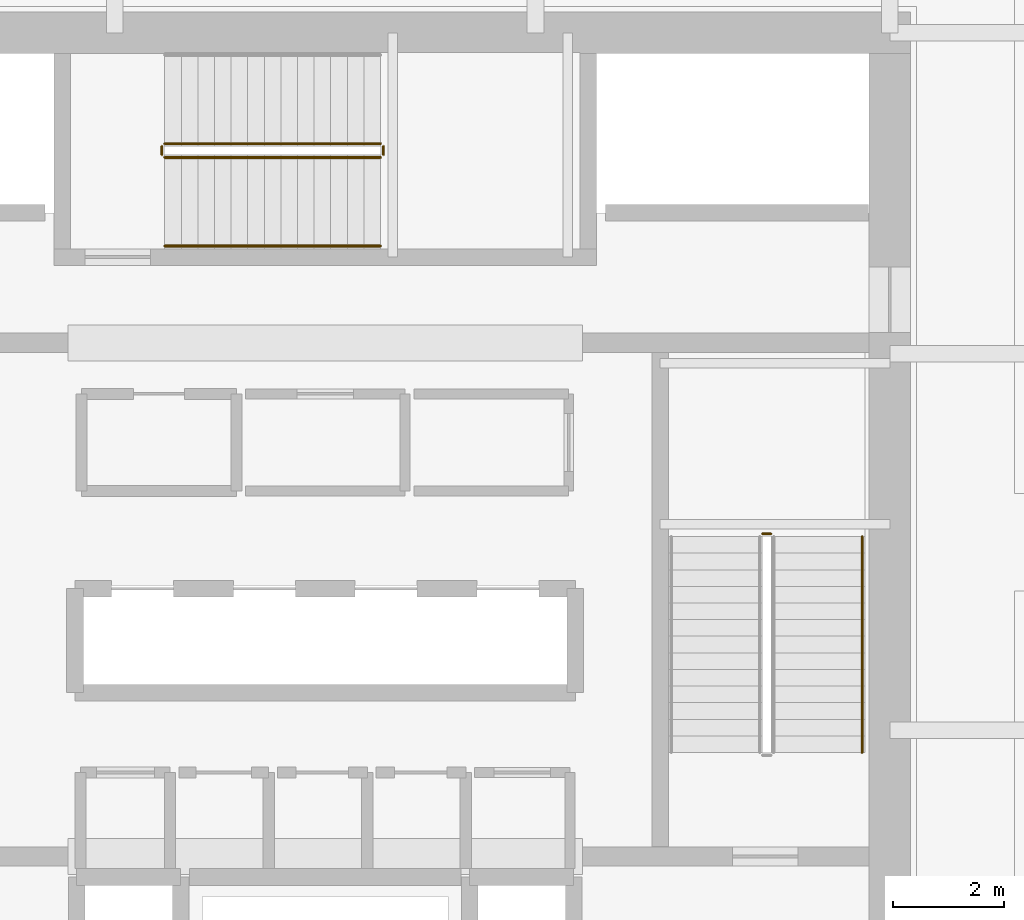
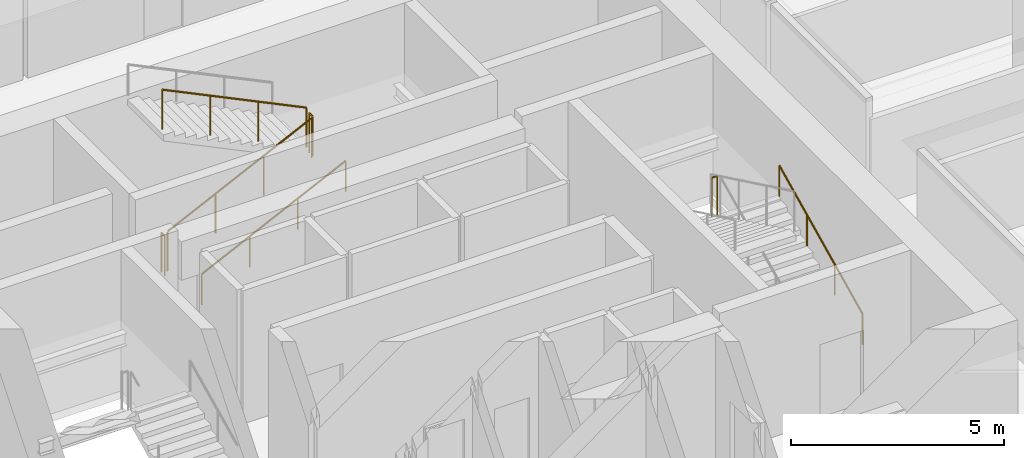
# One storey, part 33 of 34: 7 railings.
"""IFC4 building model written with IfcOpenShell, lengths in metres."""

from ifc_helpers import new_model, si_unit, direction, frame, origin, origin_2d, place, context, subcontext, project, spatial, circle, extrude, material, type_object, element, save


model = new_model("IFC4")

# Units and contexts
model_context = context("Model", 3, precision=1e-05, world=origin(), true_north=direction((0.0, 1.0)))
body_context = subcontext(model_context, "Body", "Model", "MODEL_VIEW")
ifc_project = project(units=[si_unit("LENGTHUNIT", "METRE"), si_unit("AREAUNIT", "SQUARE_METRE"), si_unit("VOLUMEUNIT", "CUBIC_METRE"), si_unit("PLANEANGLEUNIT", "RADIAN"), si_unit("MASSUNIT", "GRAM", prefix="KILO")], contexts=[model_context])

# Site, building, storey
site_placement = place(None, origin())
site = spatial("IfcSite", under=ifc_project, at=site_placement, CompositionType="ELEMENT")
building_placement = place(site_placement, origin())
building = spatial("IfcBuilding", under=site, at=building_placement, Name="Punatoya Terracotta Tower", CompositionType="ELEMENT")
storey_placement = place(building_placement, frame((0.0, 0.0, 80.85009765625)))
storey = spatial("IfcBuildingStorey", under=building, at=storey_placement, Name="L18", CompositionType="ELEMENT", Elevation=80.85009765625)

# Railings
ifc_material = material(Name="Steel S355", Category="steel")
railing_type_1 = type_object("IfcRailingType", Name="RLG-GRD-1150", PredefinedType="GUARDRAIL", material=ifc_material)
railing_1_placement = place(storey_placement, frame((8.050048828125, 0.14990234375, 2.02490234375)))
element("IfcRailing", 1, at=railing_1_placement, inside=storey, type_object=railing_type_1, Name="L18 ST-2 stair guard 2", PredefinedType="GUARDRAIL", context=body_context, shape_type="SweptSolid", body=[
    extrude(circle(Radius=0.02392578125, at=origin_2d()), frame((0.0, 0.0, 1.1259765625), z_axis=(-1.0, 0.0, 0.0), x_axis=(0.0, -1.0, 0.0)), (0.0, 0.0, 1.0), 0.150146484375),
    extrude(circle(Radius=0.02099609375, at=origin_2d()), origin(), (0.0, 0.0, 1.0), 1.101806640625),
    extrude(circle(Radius=0.02099609375, at=origin_2d()), frame((-0.150146484375, 0.0, 0.0)), (0.0, 0.0, 1.0), 1.101806640625),
])
railing_2_placement = place(storey_placement, frame((-2.89990234375, 6.949951171875, 0.14453125)))
element("IfcRailing", 2, at=railing_2_placement, inside=storey, type_object=railing_type_1, Name="L18 ST-3 stair guard 1", PredefinedType="GUARDRAIL", context=body_context, shape_type="SweptSolid", body=[
    extrude(circle(Radius=0.02392578125, at=origin_2d()), frame((0.0, 0.0, 1.1259765625), z_axis=(0.900763166376, 0.0, 0.434310623978), x_axis=(0.0, 1.0, 0.0)), (0.0, 0.0, 1.0), 4.32958984375),
    extrude(circle(Radius=0.02099609375, at=origin_2d()), origin(), (0.0, 0.0, 1.0), 1.101806640625),
    extrude(circle(Radius=0.02099609375, at=origin_2d()), frame((1.300048828125, 0.0, 0.626708984375)), (0.0, 0.0, 1.0), 1.101806640625),
    extrude(circle(Radius=0.02099609375, at=origin_2d()), frame((2.599853515625, 0.0, 1.253662109375)), (0.0, 0.0, 1.0), 1.101806640625),
    extrude(circle(Radius=0.02099609375, at=origin_2d()), frame((3.89990234375, 0.0, 1.88037109375)), (0.0, 0.0, 1.0), 1.101806640625),
])
railing_3_placement = place(storey_placement, frame((1.050048828125, 7.0, 2.02490234375)))
element("IfcRailing", 3, at=railing_3_placement, inside=storey, type_object=railing_type_1, Name="L18 ST-3 stair guard 2", PredefinedType="GUARDRAIL", context=body_context, shape_type="SweptSolid", body=[
    extrude(circle(Radius=0.02392578125, at=origin_2d()), frame((0.0, 0.0, 1.1259765625), z_axis=(0.0, 1.0, 0.0), x_axis=(-1.0, 0.0, 0.0)), (0.0, 0.0, 1.0), 0.14990234375),
    extrude(circle(Radius=0.02099609375, at=origin_2d()), origin(), (0.0, 0.0, 1.0), 1.101806640625),
    extrude(circle(Radius=0.02099609375, at=origin_2d()), frame((0.0, 0.14990234375, 0.0)), (0.0, 0.0, 1.0), 1.101806640625),
])
railing_4_placement = place(storey_placement, frame((1.0, 7.199951171875, 2.16943359375)))
element("IfcRailing", 4, at=railing_4_placement, inside=storey, type_object=railing_type_1, Name="L18 ST-3 stair guard 3", PredefinedType="GUARDRAIL", context=body_context, shape_type="SweptSolid", body=[
    extrude(circle(Radius=0.02392578125, at=origin_2d()), frame((0.0, 0.0, 1.1259765625), z_axis=(-0.900763166376, 0.0, 0.434310623978), x_axis=(0.0, -1.0, 0.0)), (0.0, 0.0, 1.0), 4.32958984375),
    extrude(circle(Radius=0.02099609375, at=origin_2d()), origin(), (0.0, 0.0, 1.0), 1.101806640625),
    extrude(circle(Radius=0.02099609375, at=origin_2d()), frame((-1.300048828125, 0.0, 0.626708984375)), (0.0, 0.0, 1.0), 1.101806640625),
    extrude(circle(Radius=0.02099609375, at=origin_2d()), frame((-2.599853515625, 0.0, 1.253662109375)), (0.0, 0.0, 1.0), 1.101806640625),
    extrude(circle(Radius=0.02099609375, at=origin_2d()), frame((-3.89990234375, 0.0, 1.88037109375)), (0.0, 0.0, 1.0), 1.101806640625),
])
railing_5_placement = place(storey_placement, frame((-2.949951171875, 7.0, 0.0)))
element("IfcRailing", 5, at=railing_5_placement, inside=storey, type_object=railing_type_1, Name="L18 ST-3 stair guard 4", PredefinedType="GUARDRAIL", context=body_context, shape_type="SweptSolid", body=[
    extrude(circle(Radius=0.02392578125, at=origin_2d()), frame((0.0, 0.0, 1.1259765625), z_axis=(0.0, 1.0, 0.0), x_axis=(-1.0, 0.0, 0.0)), (0.0, 0.0, 1.0), 0.14990234375),
    extrude(circle(Radius=0.02099609375, at=origin_2d()), origin(), (0.0, 0.0, 1.0), 1.101806640625),
    extrude(circle(Radius=0.02099609375, at=origin_2d()), frame((0.0, 0.14990234375, 0.0)), (0.0, 0.0, 1.0), 1.101806640625),
])
railing_type_2 = type_object("IfcRailingType", Name="RLG-HND-900", PredefinedType="HANDRAIL", material=ifc_material)
railing_6_placement = place(storey_placement, frame((9.699951171875, -3.800048828125, 0.14453125)))
element("IfcRailing", 6, at=railing_6_placement, inside=storey, type_object=railing_type_2, Name="L18 ST-2 stair handrail 1", PredefinedType="HANDRAIL", context=body_context, shape_type="SweptSolid", body=[
    extrude(circle(Radius=0.02392578125, at=origin_2d()), frame((0.0, 0.0, 0.8759765625), z_axis=(0.0, 0.900773802044, 0.434288564841), x_axis=(-1.0, 0.0, 0.0)), (0.0, 0.0, 1.0), 4.329833984375),
    extrude(circle(Radius=0.02099609375, at=origin_2d()), origin(), (0.0, 0.0, 1.0), 0.851806640625),
    extrude(circle(Radius=0.02099609375, at=origin_2d()), frame((0.0, 1.300048828125, 0.626708984375)), (0.0, 0.0, 1.0), 0.851806640625),
    extrude(circle(Radius=0.02099609375, at=origin_2d()), frame((0.0, 2.60009765625, 1.253662109375)), (0.0, 0.0, 1.0), 0.851806640625),
    extrude(circle(Radius=0.02099609375, at=origin_2d()), frame((0.0, 3.900146484375, 1.88037109375)), (0.0, 0.0, 1.0), 0.851806640625),
])
railing_7_placement = place(storey_placement, frame((-2.89990234375, 5.35009765625, 0.14453125)))
element("IfcRailing", 7, at=railing_7_placement, inside=storey, type_object=railing_type_2, Name="L18 ST-3 stair handrail 1", PredefinedType="HANDRAIL", context=body_context, shape_type="SweptSolid", body=[
    extrude(circle(Radius=0.02392578125, at=origin_2d()), frame((0.0, 0.0, 0.8759765625), z_axis=(0.900763166376, 0.0, 0.434310623978), x_axis=(0.0, 1.0, 0.0)), (0.0, 0.0, 1.0), 4.32958984375),
    extrude(circle(Radius=0.02099609375, at=origin_2d()), origin(), (0.0, 0.0, 1.0), 0.851806640625),
    extrude(circle(Radius=0.02099609375, at=origin_2d()), frame((1.300048828125, 0.0, 0.626708984375)), (0.0, 0.0, 1.0), 0.851806640625),
    extrude(circle(Radius=0.02099609375, at=origin_2d()), frame((2.599853515625, 0.0, 1.253662109375)), (0.0, 0.0, 1.0), 0.851806640625),
    extrude(circle(Radius=0.02099609375, at=origin_2d()), frame((3.89990234375, 0.0, 1.88037109375)), (0.0, 0.0, 1.0), 0.851806640625),
])

save(model, "model.ifc")
